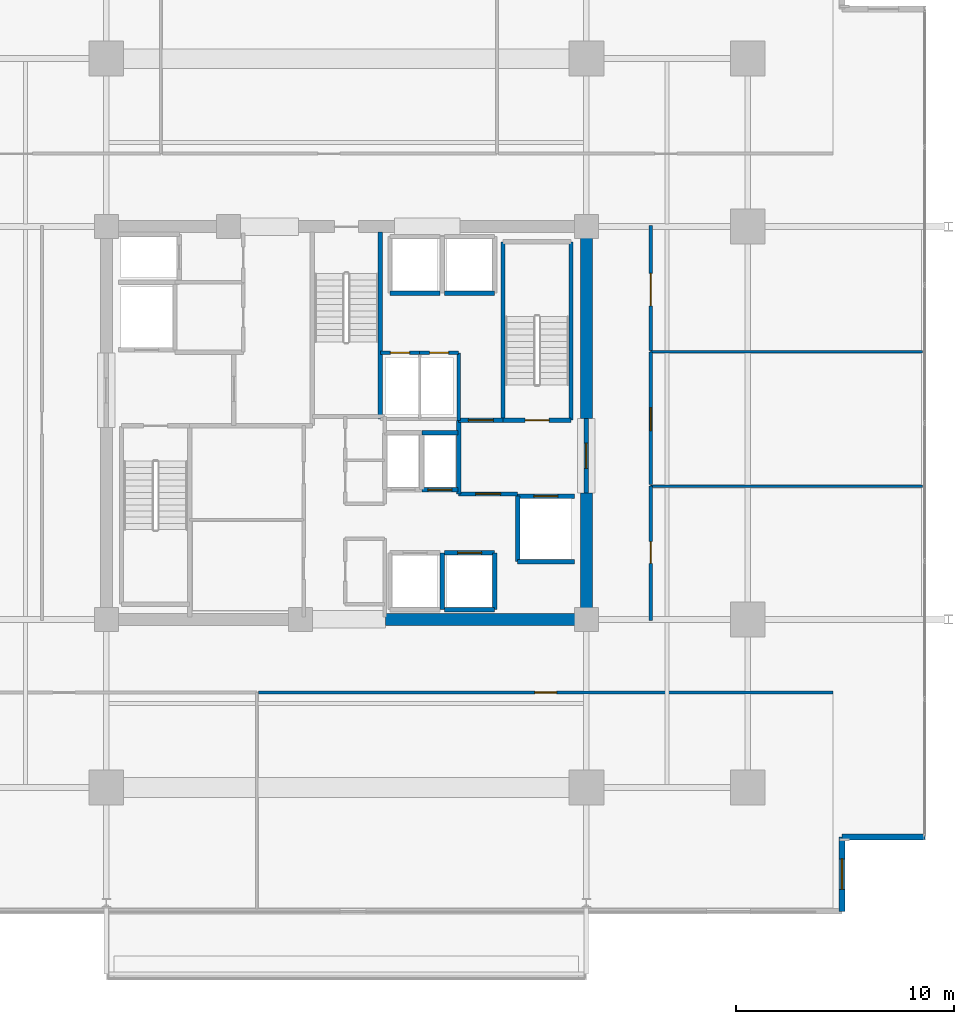
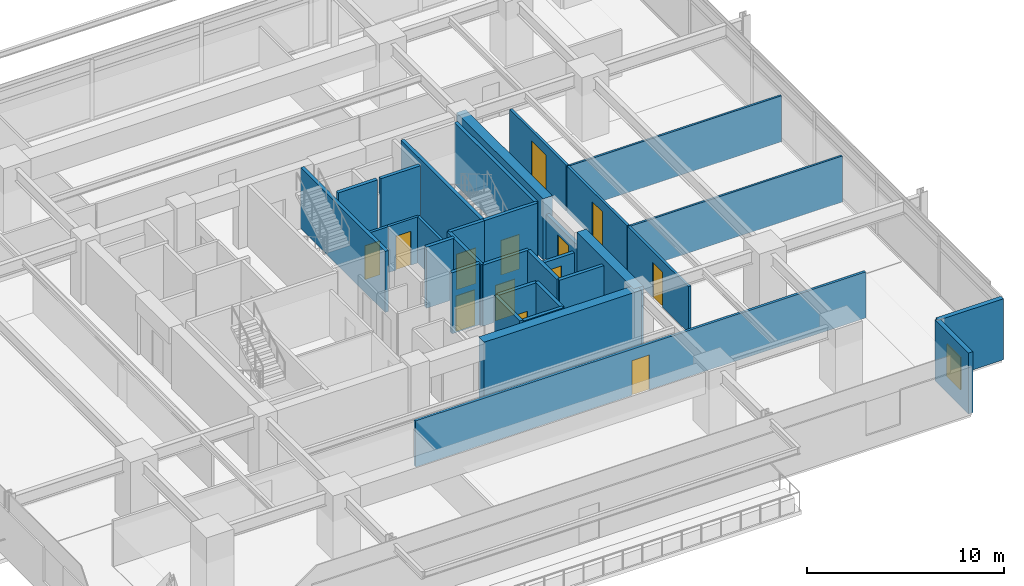
# One storey, part 17 of 24: 33 walls, 13 doors, 1 window, 14 openings.
"""IFC4 building model written with IfcOpenShell, lengths in metres."""

from ifc_helpers import new_model, si_unit, direction, frame, frame_2d, origin, place, context, subcontext, project, spatial, rectangle, extrude, material, layer, layer_set, type_object, element, fill, save


model = new_model("IFC4")

# Units and contexts
model_context = context("Model", 3, precision=1e-05, world=origin(), true_north=direction((0.0, 1.0)))
body_context = subcontext(model_context, "Body", "Model", "MODEL_VIEW")
ifc_project = project(units=[si_unit("LENGTHUNIT", "METRE"), si_unit("AREAUNIT", "SQUARE_METRE"), si_unit("VOLUMEUNIT", "CUBIC_METRE"), si_unit("PLANEANGLEUNIT", "RADIAN"), si_unit("MASSUNIT", "GRAM", prefix="KILO")], contexts=[model_context])

# Site, building, storey
site_placement = place(None, origin())
site = spatial("IfcSite", under=ifc_project, at=site_placement, CompositionType="ELEMENT")
building_placement = place(site_placement, origin())
building = spatial("IfcBuilding", under=site, at=building_placement, Name="Kovane Verandah Tower", CompositionType="ELEMENT")
storey_placement = place(building_placement, frame((0.0, 0.0, 144.39990234375)))
storey = spatial("IfcBuildingStorey", under=building, at=storey_placement, Name="L33", CompositionType="ELEMENT", Elevation=144.39990234375)

# Wall
ifc_material_1 = material(Name="Fire-Rated Gypsum Stud Partition", Category="gypsum")
ifc_layer_1 = layer(ifc_material_1, 0.14990234375)
ifc_layer_set_1 = layer_set([ifc_layer_1], Name="Fire-Rated Gypsum Stud Partition")
wall_type_1 = type_object("IfcWallType", Name="WL-COR-150", PredefinedType="PARTITIONING", material=ifc_layer_set_1)
wall_1_placement = place(storey_placement, frame((45.14990234375, 27.6201171875, 0.0), z_axis=(0.0, 0.0, 1.0), x_axis=(0.0, 1.0, 0.0)))
element("IfcWall", 1, at=wall_1_placement, inside=storey, type_object=wall_type_1, Name="L33 East Core Service Riser East Wall", PredefinedType="PARTITIONING", context=body_context, shape_type="SweptSolid", body=[
    extrude(rectangle(XDim=3.099853515625, YDim=0.14990234375, at=frame_2d((1.5498046875, 0.0))), origin(), (0.0, 0.0, 1.0), 2.85009765625),
])

# Wall, opening, door
wall_2_placement = place(storey_placement, frame((41.56005859375, 30.719970703125, 0.0), z_axis=(0.0, 0.0, 1.0), x_axis=(1.0, 0.0, 0.0)))
wall_2 = element("IfcWall", 2, at=wall_2_placement, inside=storey, type_object=wall_type_1, Name="L33 Chilled Water Riser Room Partition", PredefinedType="PARTITIONING", context=body_context, shape_type="SweptSolid", body=[
    extrude(rectangle(XDim=1.800048828125, YDim=0.14990234375, at=frame_2d((0.89990234375, 0.0))), origin(), (0.0, 0.0, 1.0), 2.85009765625),
])
opening_1_placement = place(wall_2_placement, frame((0.4599609375, 0.0, 0.0)))
opening_1 = element("IfcOpeningElement", 3, at=opening_1_placement, cuts=wall_2, Name="Opening DR-L33-017", PredefinedType="OPENING", context=body_context, shape_type="SweptSolid", body=[
    extrude(rectangle(XDim=0.8798828125, YDim=2.10009765625, at=frame_2d((0.43994140625, 1.050048828125))), frame((0.0, 0.074951171875, 0.0), z_axis=(0.0, -1.0, 0.0), x_axis=(1.0, 0.0, 0.0)), (0.0, 0.0, 1.0), 0.14990234375),
])
ifc_material_2 = material(Name="Fire-Rated Steel Riser Access Door", Category="steel")
door_type_1 = type_object("IfcDoorType", Name="DR-RISER-880", OperationType="SINGLE_SWING_LEFT", PredefinedType="DOOR", material=ifc_material_2)
door_1_placement = place(opening_1_placement, origin())
door_1 = element("IfcDoor", 4, at=door_1_placement, inside=storey, type_object=door_type_1, Name="L33 Chilled Water Riser Room Door", OperationType="SINGLE_SWING_RIGHT", OverallHeight=2.10009765625, OverallWidth=0.8798828125, PredefinedType="DOOR", context=body_context, shape_type="SweptSolid", body=[
    extrude(rectangle(XDim=0.8798828125, YDim=2.10009765625, at=frame_2d((0.43994140625, 1.050048828125))), frame((0.0, 0.02490234375, 0.0), z_axis=(0.0, -1.0, 0.0), x_axis=(1.0, 0.0, 0.0)), (0.0, 0.0, 1.0), 0.050048828125),
])
fill(opening_1, door_1)

wall_3_placement = place(storey_placement, frame((43.360107421875, 30.719970703125, 0.0), z_axis=(0.0, 0.0, 1.0), x_axis=(1.0, 0.0, 0.0)))
wall_3 = element("IfcWall", 5, at=wall_3_placement, inside=storey, type_object=wall_type_1, Name="L33 Smoke Extract Duct Room Partition", PredefinedType="PARTITIONING", context=body_context, shape_type="SweptSolid", body=[
    extrude(rectangle(XDim=1.789794921875, YDim=0.14990234375, at=frame_2d((0.89501953125, 0.0))), origin(), (0.0, 0.0, 1.0), 2.85009765625),
])
opening_2_placement = place(wall_3_placement, frame((0.455078125, 0.0, 0.0)))
opening_2 = element("IfcOpeningElement", 6, at=opening_2_placement, cuts=wall_3, Name="Opening DR-L33-018", PredefinedType="OPENING", context=body_context, shape_type="SweptSolid", body=[
    extrude(rectangle(XDim=0.8798828125, YDim=2.10009765625, at=frame_2d((0.43994140625, 1.050048828125))), frame((0.0, 0.074951171875, 0.0), z_axis=(0.0, -1.0, 0.0), x_axis=(1.0, 0.0, 0.0)), (0.0, 0.0, 1.0), 0.14990234375),
])
door_2_placement = place(opening_2_placement, origin())
door_2 = element("IfcDoor", 7, at=door_2_placement, inside=storey, type_object=door_type_1, Name="L33 Smoke Extract Duct Room Door", OperationType="SINGLE_SWING_LEFT", OverallHeight=2.10009765625, OverallWidth=0.8798828125, PredefinedType="DOOR", context=body_context, shape_type="SweptSolid", body=[
    extrude(rectangle(XDim=0.8798828125, YDim=2.10009765625, at=frame_2d((0.43994140625, 1.050048828125))), frame((0.0, 0.02490234375, 0.0), z_axis=(0.0, -1.0, 0.0), x_axis=(1.0, 0.0, 0.0)), (0.0, 0.0, 1.0), 0.050048828125),
])
fill(opening_2, door_2)

wall_4_placement = place(storey_placement, frame((35.97119140625, 15.14990234375, 0.0), z_axis=(0.0, 0.0, 1.0), x_axis=(1.0, 0.0, 0.0)))
wall_4 = element("IfcWall", 8, at=wall_4_placement, inside=storey, type_object=wall_type_1, Name="L33 Collaboration Hub S2 Corridor Partition", PredefinedType="PARTITIONING", context=body_context, shape_type="SweptSolid", body=[
    extrude(rectangle(XDim=26.342529296875, YDim=0.14990234375, at=frame_2d((13.17138671875, 0.0))), origin(), (0.0, 0.0, 1.0), 2.85009765625),
])
opening_3_placement = place(wall_4_placement, frame((12.67138671875, 0.0, 0.0)))
opening_3 = element("IfcOpeningElement", 9, at=opening_3_placement, cuts=wall_4, Name="Opening DR-L33-023", PredefinedType="OPENING", context=body_context, shape_type="SweptSolid", body=[
    extrude(rectangle(XDim=1.0, YDim=2.14990234375, at=frame_2d((0.5, 1.074951171875))), frame((0.0, 0.074951171875, 0.0), z_axis=(0.0, -1.0, 0.0), x_axis=(1.0, 0.0, 0.0)), (0.0, 0.0, 1.0), 0.14990234375),
])
ifc_material_3 = material(Name="FSC Spotted-Gum Timber Fire-Rated Office Door", Category="wood")
door_type_2 = type_object("IfcDoorType", Name="DR-OFF-1000", OperationType="SINGLE_SWING_LEFT", PredefinedType="DOOR", material=ifc_material_3)
door_3_placement = place(opening_3_placement, origin())
door_3 = element("IfcDoor", 10, at=door_3_placement, inside=storey, type_object=door_type_2, Name="L33 Collaboration Hub S2 Entrance Door", OperationType="SINGLE_SWING_RIGHT", OverallHeight=2.14990234375, OverallWidth=1.0, PredefinedType="DOOR", context=body_context, shape_type="SweptSolid", body=[
    extrude(rectangle(XDim=1.0, YDim=2.14990234375, at=frame_2d((0.5, 1.074951171875))), frame((0.0, 0.02490234375, 0.0), z_axis=(0.0, -1.0, 0.0), x_axis=(1.0, 0.0, 0.0)), (0.0, 0.0, 1.0), 0.050048828125),
])
fill(opening_3, door_3)

wall_5_placement = place(storey_placement, frame((53.949951171875, 18.449951171875, 0.0), z_axis=(0.0, 0.0, 1.0), x_axis=(0.0, 1.0, 0.0)))
wall_5 = element("IfcWall", 11, at=wall_5_placement, inside=storey, type_object=wall_type_1, Name="L33 Open Plan Office E1 Corridor Partition", PredefinedType="PARTITIONING", context=body_context, shape_type="SweptSolid", body=[
    extrude(rectangle(XDim=6.154052734375, YDim=0.14990234375, at=frame_2d((3.0771484375, 0.0))), origin(), (0.0, 0.0, 1.0), 2.85009765625),
])
opening_4_placement = place(wall_5_placement, frame((2.616943359375, 0.0, 0.0)))
opening_4 = element("IfcOpeningElement", 12, at=opening_4_placement, cuts=wall_5, Name="Opening DR-L33-012", PredefinedType="OPENING", context=body_context, shape_type="SweptSolid", body=[
    extrude(rectangle(XDim=1.0, YDim=2.14990234375, at=frame_2d((0.5, 1.074951171875))), frame((0.0, 0.074951171875, 0.0), z_axis=(0.0, -1.0, 0.0), x_axis=(1.0, 0.0, 0.0)), (0.0, 0.0, 1.0), 0.14990234375),
])
door_4_placement = place(opening_4_placement, origin())
door_4 = element("IfcDoor", 13, at=door_4_placement, inside=storey, type_object=door_type_2, Name="L33 Open Plan Office E1 Entrance Door", OperationType="SINGLE_SWING_RIGHT", OverallHeight=2.14990234375, OverallWidth=1.0, PredefinedType="DOOR", context=body_context, shape_type="SweptSolid", body=[
    extrude(rectangle(XDim=1.0, YDim=2.14990234375, at=frame_2d((0.5, 1.074951171875))), frame((0.0, 0.02490234375, 0.0), z_axis=(0.0, -1.0, 0.0), x_axis=(1.0, 0.0, 0.0)), (0.0, 0.0, 1.0), 0.050048828125),
])
fill(opening_4, door_4)

wall_6_placement = place(storey_placement, frame((53.949951171875, 24.674072265625, 0.0), z_axis=(0.0, 0.0, 1.0), x_axis=(0.0, 1.0, 0.0)))
wall_6 = element("IfcWall", 14, at=wall_6_placement, inside=storey, type_object=wall_type_1, Name="L33 Executive Office E2 Corridor Partition", PredefinedType="PARTITIONING", context=body_context, shape_type="SweptSolid", body=[
    extrude(rectangle(XDim=6.083984375, YDim=0.14990234375, at=frame_2d((3.0419921875, 0.0))), origin(), (0.0, 0.0, 1.0), 2.85009765625),
])
opening_5_placement = place(wall_6_placement, frame((2.48193359375, 0.0, 0.0)))
opening_5 = element("IfcOpeningElement", 15, at=opening_5_placement, cuts=wall_6, Name="Opening DR-L33-013", PredefinedType="OPENING", context=body_context, shape_type="SweptSolid", body=[
    extrude(rectangle(XDim=1.050048828125, YDim=2.199951171875, at=frame_2d((0.52490234375, 1.10009765625))), frame((0.0, 0.074951171875, 0.0), z_axis=(0.0, -1.0, 0.0), x_axis=(1.0, 0.0, 0.0)), (0.0, 0.0, 1.0), 0.14990234375),
])
ifc_material_4 = material(Name="FSC Blackbutt Timber Fire-Rated Executive Door", Category="wood")
door_type_3 = type_object("IfcDoorType", Name="DR-EXEC-1050", OperationType="SINGLE_SWING_LEFT", PredefinedType="DOOR", material=ifc_material_4)
door_5_placement = place(opening_5_placement, origin())
door_5 = element("IfcDoor", 16, at=door_5_placement, inside=storey, type_object=door_type_3, Name="L33 Executive Office E2 Entrance Door", OperationType="SINGLE_SWING_LEFT", OverallHeight=2.199951171875, OverallWidth=1.050048828125, PredefinedType="DOOR", context=body_context, shape_type="SweptSolid", body=[
    extrude(rectangle(XDim=1.050048828125, YDim=2.199951171875, at=frame_2d((0.52490234375, 1.10009765625))), frame((0.0, 0.02490234375, 0.0), z_axis=(0.0, -1.0, 0.0), x_axis=(1.0, 0.0, 0.0)), (0.0, 0.0, 1.0), 0.050048828125),
])
fill(opening_5, door_5)

wall_7_placement = place(storey_placement, frame((53.949951171875, 30.827880859375, 0.0), z_axis=(0.0, 0.0, 1.0), x_axis=(0.0, 1.0, 0.0)))
wall_7 = element("IfcWall", 17, at=wall_7_placement, inside=storey, type_object=wall_type_1, Name="L33 Client Boardroom E3 Corridor Partition", PredefinedType="PARTITIONING", context=body_context, shape_type="SweptSolid", body=[
    extrude(rectangle(XDim=5.72216796875, YDim=0.14990234375, at=frame_2d((2.861083984375, 0.0))), origin(), (0.0, 0.0, 1.0), 2.85009765625),
])
opening_6_placement = place(wall_7_placement, frame((2.035888671875, 0.0, 0.0)))
opening_6 = element("IfcOpeningElement", 18, at=opening_6_placement, cuts=wall_7, Name="Opening DR-L33-014", PredefinedType="OPENING", context=body_context, shape_type="SweptSolid", body=[
    extrude(rectangle(XDim=1.5, YDim=2.25, at=frame_2d((0.75, 1.125))), frame((0.0, 0.074951171875, 0.0), z_axis=(0.0, -1.0, 0.0), x_axis=(1.0, 0.0, 0.0)), (0.0, 0.0, 1.0), 0.14990234375),
])
ifc_material_5 = material(Name="Glazed Timber Fire-Rated Double Door", Category="wood")
door_type_4 = type_object("IfcDoorType", Name="DR-CONF-1500", OperationType="DOUBLE_DOOR_SINGLE_SWING", PredefinedType="DOOR", material=ifc_material_5)
door_6_placement = place(opening_6_placement, origin())
door_6 = element("IfcDoor", 19, at=door_6_placement, inside=storey, type_object=door_type_4, Name="L33 Client Boardroom E3 Entrance Door", OperationType="DOUBLE_DOOR_SINGLE_SWING", OverallHeight=2.25, OverallWidth=1.5, PredefinedType="DOOR", context=body_context, shape_type="SweptSolid", body=[
    extrude(rectangle(XDim=1.5, YDim=2.25, at=frame_2d((0.75, 1.125))), frame((0.0, 0.02490234375, 0.0), z_axis=(0.0, -1.0, 0.0), x_axis=(1.0, 0.0, 0.0)), (0.0, 0.0, 1.0), 0.050048828125),
])
fill(opening_6, door_6)

# Walls
ifc_material_6 = material(Name="Concrete C60/75", Category="concrete")
ifc_layer_2 = layer(ifc_material_6, 0.550048828125)
ifc_layer_set_2 = layer_set([ifc_layer_2], Name="Concrete C60/75")
wall_type_2 = type_object("IfcWallType", Name="WL-CORE-550", PredefinedType="SHEAR", material=ifc_layer_set_2)
wall_8_placement = place(storey_placement, frame((41.800048828125, 18.5, 0.0), z_axis=(0.0, 0.0, 1.0), x_axis=(1.0, 0.0, 0.0)))
element("IfcWall", 20, at=wall_8_placement, inside=storey, type_object=wall_type_2, Name="L33 Core Shear Wall CS-2", PredefinedType="SHEAR", context=body_context, shape_type="SweptSolid", body=[
    extrude(rectangle(XDim=9.199951171875, YDim=0.550048828125, at=frame_2d((4.60009765625, 0.0))), origin(), (0.0, 0.0, 1.0), 3.775146484375),
])
wall_9_placement = place(storey_placement, frame((51.0, 18.5, 0.0), z_axis=(0.0, 0.0, 1.0), x_axis=(0.0, 1.0, 0.0)))
element("IfcWall", 21, at=wall_9_placement, inside=storey, type_object=wall_type_2, Name="L33 Core Shear Wall CE-1", PredefinedType="SHEAR", context=body_context, shape_type="SweptSolid", body=[
    extrude(rectangle(XDim=5.800048828125, YDim=0.550048828125, at=frame_2d((2.89990234375, 0.0))), origin(), (0.0, 0.0, 1.0), 3.775146484375),
])
wall_10_placement = place(storey_placement, frame((51.0, 27.699951171875, 0.0), z_axis=(0.0, 0.0, 1.0), x_axis=(0.0, 1.0, 0.0)))
element("IfcWall", 22, at=wall_10_placement, inside=storey, type_object=wall_type_2, Name="L33 Core Shear Wall CE-2", PredefinedType="SHEAR", context=body_context, shape_type="SweptSolid", body=[
    extrude(rectangle(XDim=8.800048828125, YDim=0.550048828125, at=frame_2d((4.39990234375, 0.0))), origin(), (0.0, 0.0, 1.0), 3.775146484375),
])
ifc_material_7 = material(Name="Concrete C45/55 Fire Wall", Category="concrete")
ifc_layer_3 = layer(ifc_material_7, 0.199951171875)
ifc_layer_set_3 = layer_set([ifc_layer_3], Name="Concrete C45/55 Fire Wall")
wall_type_3 = type_object("IfcWallType", Name="WL-FFL-200", PredefinedType="PARTITIONING", material=ifc_layer_set_3)
wall_11_placement = place(storey_placement, frame((45.14990234375, 24.25, 0.0), z_axis=(0.0, 0.0, 1.0), x_axis=(0.0, 1.0, 0.0)))
element("IfcWall", 23, at=wall_11_placement, inside=storey, type_object=wall_type_3, Name="L33 East Firefighting Lobby West Fire Wall", PredefinedType="PARTITIONING", context=body_context, shape_type="SweptSolid", body=[
    extrude(rectangle(XDim=3.3701171875, YDim=0.199951171875, at=frame_2d((1.68505859375, 0.0))), origin(), (0.0, 0.0, 1.0), 3.775146484375),
])

# Wall, opening, door
wall_12_placement = place(storey_placement, frame((45.14990234375, 24.25, 0.0), z_axis=(0.0, 0.0, 1.0), x_axis=(1.0, 0.0, 0.0)))
wall_12 = element("IfcWall", 24, at=wall_12_placement, inside=storey, type_object=wall_type_3, Name="W-L33-FFLE-S", PredefinedType="PARTITIONING", context=body_context, shape_type="SweptSolid", body=[
    extrude(rectangle(XDim=2.7001953125, YDim=0.199951171875, at=frame_2d((1.35009765625, 0.0))), origin(), (0.0, 0.0, 1.0), 3.775146484375),
])
opening_7_placement = place(wall_12_placement, frame((0.77490234375, 0.0, 0.0)))
opening_7 = element("IfcOpeningElement", 25, at=opening_7_placement, cuts=wall_12, Name="Opening DR-L33-003", PredefinedType="OPENING", context=body_context, shape_type="SweptSolid", body=[
    extrude(rectangle(XDim=1.14990234375, YDim=2.199951171875, at=frame_2d((0.574951171875, 1.10009765625))), frame((0.0, 0.10009765625, 0.0), z_axis=(0.0, -1.0, 0.0), x_axis=(1.0, 0.0, 0.0)), (0.0, 0.0, 1.0), 0.199951171875),
])
ifc_material_8 = material(Name="Smoke-Sealed Firefighting Lobby Door", Category="steel")
door_type_5 = type_object("IfcDoorType", Name="DR-FFL-1150", OperationType="SINGLE_SWING_LEFT", PredefinedType="DOOR", material=ifc_material_8)
door_7_placement = place(opening_7_placement, origin())
door_7 = element("IfcDoor", 26, at=door_7_placement, inside=storey, type_object=door_type_5, Name="L33 East Firefighting Lobby Inner Door", OperationType="SINGLE_SWING_RIGHT", OverallHeight=2.199951171875, OverallWidth=1.14990234375, PredefinedType="DOOR", context=body_context, shape_type="SweptSolid", body=[
    extrude(rectangle(XDim=1.14990234375, YDim=2.199951171875, at=frame_2d((0.574951171875, 1.10009765625))), frame((0.0, 0.02490234375, 0.0), z_axis=(0.0, -1.0, 0.0), x_axis=(1.0, 0.0, 0.0)), (0.0, 0.0, 1.0), 0.050048828125),
])
fill(opening_7, door_7)

wall_13_placement = place(storey_placement, frame((45.14990234375, 27.6201171875, 0.0), z_axis=(0.0, 0.0, 1.0), x_axis=(1.0, 0.0, 0.0)))
wall_13 = element("IfcWall", 27, at=wall_13_placement, inside=storey, type_object=wall_type_3, Name="W-L33-FFLE-N", PredefinedType="PARTITIONING", context=body_context, shape_type="SweptSolid", body=[
    extrude(rectangle(XDim=2.030029296875, YDim=0.199951171875, at=frame_2d((1.01513671875, 0.0))), origin(), (0.0, 0.0, 1.0), 3.775146484375),
])
opening_8_placement = place(wall_13_placement, frame((0.43994140625, 0.0, 0.0)))
opening_8 = element("IfcOpeningElement", 28, at=opening_8_placement, cuts=wall_13, Name="Opening DR-L33-004", PredefinedType="OPENING", context=body_context, shape_type="SweptSolid", body=[
    extrude(rectangle(XDim=1.14990234375, YDim=2.199951171875, at=frame_2d((0.574951171875, 1.10009765625))), frame((0.0, 0.10009765625, 0.0), z_axis=(0.0, -1.0, 0.0), x_axis=(1.0, 0.0, 0.0)), (0.0, 0.0, 1.0), 0.199951171875),
])
door_8_placement = place(opening_8_placement, origin())
door_8 = element("IfcDoor", 29, at=door_8_placement, inside=storey, type_object=door_type_5, Name="L33 East Firefighting Lobby Shuttle Link Door", OperationType="SINGLE_SWING_LEFT", OverallHeight=2.199951171875, OverallWidth=1.14990234375, PredefinedType="DOOR", context=body_context, shape_type="SweptSolid", body=[
    extrude(rectangle(XDim=1.14990234375, YDim=2.199951171875, at=frame_2d((0.574951171875, 1.10009765625))), frame((0.0, 0.02490234375, 0.0), z_axis=(0.0, -1.0, 0.0), x_axis=(1.0, 0.0, 0.0)), (0.0, 0.0, 1.0), 0.050048828125),
])
fill(opening_8, door_8)

wall_14_placement = place(storey_placement, frame((51.0, 24.300048828125, 0.0), z_axis=(0.0, 0.0, 1.0), x_axis=(0.0, 1.0, 0.0)))
wall_14 = element("IfcWall", 30, at=wall_14_placement, inside=storey, type_object=wall_type_3, Name="W-L33-FFLE-OUT", PredefinedType="PARTITIONING", context=body_context, shape_type="SweptSolid", body=[
    extrude(rectangle(XDim=3.39990234375, YDim=0.199951171875, at=frame_2d((1.699951171875, 0.0))), origin(), (0.0, 0.0, 1.0), 2.755126953125),
])
opening_9_placement = place(wall_14_placement, frame((1.125, 0.0, 0.0)))
opening_9 = element("IfcOpeningElement", 31, at=opening_9_placement, cuts=wall_14, Name="Opening DR-L33-005", PredefinedType="OPENING", context=body_context, shape_type="SweptSolid", body=[
    extrude(rectangle(XDim=1.14990234375, YDim=2.199951171875, at=frame_2d((0.574951171875, 1.10009765625))), frame((0.0, 0.10009765625, 0.0), z_axis=(0.0, -1.0, 0.0), x_axis=(1.0, 0.0, 0.0)), (0.0, 0.0, 1.0), 0.199951171875),
])
door_9_placement = place(opening_9_placement, origin())
door_9 = element("IfcDoor", 32, at=door_9_placement, inside=storey, type_object=door_type_5, Name="L33 East Firefighting Lobby Corridor Door", OperationType="SINGLE_SWING_LEFT", OverallHeight=2.199951171875, OverallWidth=1.14990234375, PredefinedType="DOOR", context=body_context, shape_type="SweptSolid", body=[
    extrude(rectangle(XDim=1.14990234375, YDim=2.199951171875, at=frame_2d((0.574951171875, 1.10009765625))), frame((0.0, 0.02490234375, 0.0), z_axis=(0.0, -1.0, 0.0), x_axis=(1.0, 0.0, 0.0)), (0.0, 0.0, 1.0), 0.050048828125),
])
fill(opening_9, door_9)

# Wall
ifc_material_9 = material(Name="Concrete C45/55 Lift Shaft Wall", Category="concrete")
ifc_layer_4 = layer(ifc_material_9, 0.199951171875)
ifc_layer_set_4 = layer_set([ifc_layer_4], Name="Concrete C45/55 Lift Shaft Wall")
wall_type_4 = type_object("IfcWallType", Name="WL-LIFT-200", PredefinedType="SOLIDWALL", material=ifc_layer_set_4)
wall_15_placement = place(storey_placement, frame((47.85009765625, 21.14990234375, 0.0), z_axis=(0.0, 0.0, 1.0), x_axis=(1.0, 0.0, 0.0)))
element("IfcWall", 33, at=wall_15_placement, inside=storey, type_object=wall_type_4, Name="L33 Lift FL-02 S Shaft Wall", PredefinedType="SOLIDWALL", context=body_context, shape_type="SweptSolid", body=[
    extrude(rectangle(XDim=2.599853515625, YDim=0.199951171875, at=frame_2d((1.2998046875, 0.0))), origin(), (0.0, 0.0, 1.0), 3.775146484375),
])

# Wall, opening, door
wall_16_placement = place(storey_placement, frame((50.449951171875, 24.14990234375, 0.0), z_axis=(0.0, 0.0, 1.0), x_axis=(-1.0, 0.0, 0.0)))
wall_16 = element("IfcWall", 34, at=wall_16_placement, inside=storey, type_object=wall_type_4, Name="L33 Lift FL-02 N Shaft Wall", PredefinedType="SOLIDWALL", context=body_context, shape_type="SweptSolid", body=[
    extrude(rectangle(XDim=2.599853515625, YDim=0.199951171875, at=frame_2d((1.2998046875, 0.0))), origin(), (0.0, 0.0, 1.0), 2.755126953125),
])
opening_10_placement = place(wall_16_placement, frame((0.75, 0.0, 0.0)))
opening_10 = element("IfcOpeningElement", 35, at=opening_10_placement, cuts=wall_16, Name="Opening LD-L33-002", PredefinedType="OPENING", context=body_context, shape_type="SweptSolid", body=[
    extrude(rectangle(XDim=1.10009765625, YDim=2.199951171875, at=frame_2d((0.550048828125, 1.10009765625))), frame((0.0, 0.10009765625, 0.0), z_axis=(0.0, -1.0, 0.0), x_axis=(1.0, 0.0, 0.0)), (0.0, 0.0, 1.0), 0.199951171875),
])
ifc_material_10 = material(Name="Brushed Stainless Steel Sliding Lift Landing Door", Category="steel")
door_type_6 = type_object("IfcDoorType", Name="DR-LIFT-1100", OperationType="SLIDING_TO_RIGHT", PredefinedType="DOOR", material=ifc_material_10)
door_10_placement = place(opening_10_placement, origin())
door_10 = element("IfcDoor", 36, at=door_10_placement, inside=storey, type_object=door_type_6, Name="L33 Lift FL-02 Sliding Landing Door", OperationType="SLIDING_TO_RIGHT", OverallHeight=2.199951171875, OverallWidth=1.10009765625, PredefinedType="DOOR", context=body_context, shape_type="SweptSolid", body=[
    extrude(rectangle(XDim=1.10009765625, YDim=2.199951171875, at=frame_2d((0.550048828125, 1.10009765625))), frame((0.0, 0.02490234375, 0.0), z_axis=(0.0, -1.0, 0.0), x_axis=(1.0, 0.0, 0.0)), (0.0, 0.0, 1.0), 0.050048828125),
])
fill(opening_10, door_10)

# Walls
wall_17_placement = place(storey_placement, frame((47.85009765625, 24.14990234375, 0.0), z_axis=(0.0, 0.0, 1.0), x_axis=(0.0, -1.0, 0.0)))
element("IfcWall", 37, at=wall_17_placement, inside=storey, type_object=wall_type_4, Name="L33 Lift FL-02 W Shaft Wall", PredefinedType="SOLIDWALL", context=body_context, shape_type="SweptSolid", body=[
    extrude(rectangle(XDim=3.0, YDim=0.199951171875, at=frame_2d((1.5, 0.0))), origin(), (0.0, 0.0, 1.0), 3.775146484375),
])
wall_18_placement = place(storey_placement, frame((44.39990234375, 18.949951171875, 0.0), z_axis=(0.0, 0.0, 1.0), x_axis=(0.0, 1.0, 0.0)))
element("IfcWall", 38, at=wall_18_placement, inside=storey, type_object=wall_type_4, Name="L33 Lift PL-M1 and PL-M2 Shared Shaft Wall", PredefinedType="SOLIDWALL", context=body_context, shape_type="SweptSolid", body=[
    extrude(rectangle(XDim=2.60009765625, YDim=0.199951171875, at=frame_2d((1.300048828125, 0.0))), origin(), (0.0, 0.0, 1.0), 3.775146484375),
])
wall_19_placement = place(storey_placement, frame((44.5, 18.949951171875, 0.0), z_axis=(0.0, 0.0, 1.0), x_axis=(1.0, 0.0, 0.0)))
element("IfcWall", 39, at=wall_19_placement, inside=storey, type_object=wall_type_4, Name="L33 Lift PL-M2 S Shaft Wall", PredefinedType="SOLIDWALL", context=body_context, shape_type="SweptSolid", body=[
    extrude(rectangle(XDim=2.300048828125, YDim=0.199951171875, at=frame_2d((1.14990234375, 0.0))), origin(), (0.0, 0.0, 1.0), 3.775146484375),
])

# Wall, opening, door
wall_20_placement = place(storey_placement, frame((46.800048828125, 21.550048828125, 0.0), z_axis=(0.0, 0.0, 1.0), x_axis=(-1.0, 0.0, 0.0)))
wall_20 = element("IfcWall", 40, at=wall_20_placement, inside=storey, type_object=wall_type_4, Name="L33 Lift PL-M2 N Shaft Wall", PredefinedType="SOLIDWALL", context=body_context, shape_type="SweptSolid", body=[
    extrude(rectangle(XDim=2.300048828125, YDim=0.199951171875, at=frame_2d((1.14990234375, 0.0))), origin(), (0.0, 0.0, 1.0), 3.775146484375),
])
opening_11_placement = place(wall_20_placement, frame((0.60009765625, 0.0, 0.0)))
opening_11 = element("IfcOpeningElement", 41, at=opening_11_placement, cuts=wall_20, Name="Opening LD-L33-005", PredefinedType="OPENING", context=body_context, shape_type="SweptSolid", body=[
    extrude(rectangle(XDim=1.10009765625, YDim=2.199951171875, at=frame_2d((0.550048828125, 1.10009765625))), frame((0.0, 0.10009765625, 0.0), z_axis=(0.0, -1.0, 0.0), x_axis=(1.0, 0.0, 0.0)), (0.0, 0.0, 1.0), 0.199951171875),
])
door_11_placement = place(opening_11_placement, origin())
door_11 = element("IfcDoor", 42, at=door_11_placement, inside=storey, type_object=door_type_6, Name="L33 Lift PL-M2 Sliding Landing Door", OperationType="SLIDING_TO_RIGHT", OverallHeight=2.199951171875, OverallWidth=1.10009765625, PredefinedType="DOOR", context=body_context, shape_type="SweptSolid", body=[
    extrude(rectangle(XDim=1.10009765625, YDim=2.199951171875, at=frame_2d((0.550048828125, 1.10009765625))), frame((0.0, 0.02490234375, 0.0), z_axis=(0.0, -1.0, 0.0), x_axis=(1.0, 0.0, 0.0)), (0.0, 0.0, 1.0), 0.050048828125),
])
fill(opening_11, door_11)

# Wall
wall_21_placement = place(storey_placement, frame((46.800048828125, 18.949951171875, 0.0), z_axis=(0.0, 0.0, 1.0), x_axis=(0.0, 1.0, 0.0)))
element("IfcWall", 43, at=wall_21_placement, inside=storey, type_object=wall_type_4, Name="L33 Lift PL-M2 E Shaft Wall", PredefinedType="SOLIDWALL", context=body_context, shape_type="SweptSolid", body=[
    extrude(rectangle(XDim=2.60009765625, YDim=0.199951171875, at=frame_2d((1.300048828125, 0.0))), origin(), (0.0, 0.0, 1.0), 3.775146484375),
])

# Wall, opening, door
wall_22_placement = place(storey_placement, frame((43.4599609375, 24.449951171875, 0.0), z_axis=(0.0, 0.0, 1.0), x_axis=(1.0, 0.0, 0.0)))
wall_22 = element("IfcWall", 44, at=wall_22_placement, inside=storey, type_object=wall_type_4, Name="L33 Lift PL-M4 S Shaft Wall", PredefinedType="SOLIDWALL", context=body_context, shape_type="SweptSolid", body=[
    extrude(rectangle(XDim=1.66015625, YDim=0.199951171875, at=frame_2d((0.830078125, 0.0))), origin(), (0.0, 0.0, 1.0), 3.775146484375),
])
opening_12_placement = place(wall_22_placement, frame((0.280029296875, 0.0, 0.0)))
opening_12 = element("IfcOpeningElement", 45, at=opening_12_placement, cuts=wall_22, Name="Opening LD-L33-007", PredefinedType="OPENING", context=body_context, shape_type="SweptSolid", body=[
    extrude(rectangle(XDim=1.10009765625, YDim=2.199951171875, at=frame_2d((0.550048828125, 1.10009765625))), frame((0.0, 0.10009765625, 0.0), z_axis=(0.0, -1.0, 0.0), x_axis=(1.0, 0.0, 0.0)), (0.0, 0.0, 1.0), 0.199951171875),
])
door_12_placement = place(opening_12_placement, origin())
door_12 = element("IfcDoor", 46, at=door_12_placement, inside=storey, type_object=door_type_6, Name="L33 Lift PL-M4 Sliding Landing Door", OperationType="SLIDING_TO_RIGHT", OverallHeight=2.199951171875, OverallWidth=1.10009765625, PredefinedType="DOOR", context=body_context, shape_type="SweptSolid", body=[
    extrude(rectangle(XDim=1.10009765625, YDim=2.199951171875, at=frame_2d((0.550048828125, 1.10009765625))), frame((0.0, 0.02490234375, 0.0), z_axis=(0.0, -1.0, 0.0), x_axis=(1.0, 0.0, 0.0)), (0.0, 0.0, 1.0), 0.050048828125),
])
fill(opening_12, door_12)

# Walls
wall_23_placement = place(storey_placement, frame((45.1201171875, 27.050048828125, 0.0), z_axis=(0.0, 0.0, 1.0), x_axis=(-1.0, 0.0, 0.0)))
element("IfcWall", 47, at=wall_23_placement, inside=storey, type_object=wall_type_4, Name="L33 Lift PL-M4 N Shaft Wall", PredefinedType="SOLIDWALL", context=body_context, shape_type="SweptSolid", body=[
    extrude(rectangle(XDim=1.66015625, YDim=0.199951171875, at=frame_2d((0.830078125, 0.0))), origin(), (0.0, 0.0, 1.0), 3.775146484375),
])
for number, where, z_axis, x_axis, name in (
    (48, (42.0, 33.449951171875, 0.0), (0.0, 0.0, 1.0), (1.0, 0.0, 0.0), "L33 Lift SL-01 S Shaft Wall"),
    (49, (44.5, 33.449951171875, 0.0), (0.0, 0.0, 1.0), (1.0, 0.0, 0.0), "L33 Lift OL-01 S Shaft Wall"),
):
    element("IfcWall", number, at=place(storey_placement, frame(where, z_axis=z_axis, x_axis=x_axis)), inside=storey, type_object=wall_type_4, Name=name, PredefinedType="SOLIDWALL", context=body_context, shape_type="SweptSolid", body=[
        extrude(rectangle(XDim=2.300048828125, YDim=0.199951171875, at=frame_2d((1.14990234375, 0.0))), origin(), (0.0, 0.0, 1.0), 3.775146484375),
    ])
ifc_material_11 = material(Name="Acoustic Fire-Rated Gypsum Partition", Category="gypsum")
ifc_layer_5 = layer(ifc_material_11, 0.1201171875)
ifc_layer_set_5 = layer_set([ifc_layer_5], Name="Acoustic Fire-Rated Gypsum Partition")
wall_type_5 = type_object("IfcWallType", Name="WL-PART-120", PredefinedType="PARTITIONING", material=ifc_layer_set_5)
for number, where, z_axis, x_axis, name in (
    (50, (53.949951171875, 24.60400390625, 0.0), (0.0, 0.0, 1.0), (1.0, 0.0, 0.0), "L33 Open Plan Office E1 Dividing Partition"),
    (51, (53.949951171875, 30.758056640625, 0.0), (0.0, 0.0, 1.0), (1.0, 0.0, 0.0), "L33 Executive Office E2 Dividing Partition"),
):
    element("IfcWall", number, at=place(storey_placement, frame(where, z_axis=z_axis, x_axis=x_axis)), inside=storey, type_object=wall_type_5, Name=name, PredefinedType="PARTITIONING", context=body_context, shape_type="SweptSolid", body=[
        extrude(rectangle(XDim=12.4638671875, YDim=0.1201171875, at=frame_2d((6.23193359375, 0.0))), origin(), (0.0, 0.0, 1.0), 2.85009765625),
    ])
ifc_material_12 = material(Name="Concrete C45/55", Category="concrete")
ifc_layer_6 = layer(ifc_material_12, 0.199951171875)
ifc_layer_set_6 = layer_set([ifc_layer_6], Name="Concrete C45/55")
wall_type_6 = type_object("IfcWallType", Name="WL-SHAFT-200", PredefinedType="SOLIDWALL", material=ifc_layer_set_6)
wall_24_placement = place(storey_placement, frame((50.300048828125, 27.64990234375, 0.0), z_axis=(0.0, 0.0, 1.0), x_axis=(0.0, 1.0, 0.0)))
element("IfcWall", 52, at=wall_24_placement, inside=storey, type_object=wall_type_6, Name="W-L33-ST02-E", PredefinedType="SOLIDWALL", context=body_context, shape_type="SweptSolid", body=[
    extrude(rectangle(XDim=8.150146484375, YDim=0.199951171875, at=frame_2d((4.0751953125, 0.0))), origin(), (0.0, 0.0, 1.0), 3.775146484375),
])
wall_25_placement = place(storey_placement, frame((47.179931640625, 27.6201171875, 0.0), z_axis=(0.0, 0.0, 1.0), x_axis=(0.0, 1.0, 0.0)))
element("IfcWall", 53, at=wall_25_placement, inside=storey, type_object=wall_type_6, Name="W-L33-ST02-W", PredefinedType="SOLIDWALL", context=body_context, shape_type="SweptSolid", body=[
    extrude(rectangle(XDim=8.179931640625, YDim=0.199951171875, at=frame_2d((4.08984375, 0.0))), origin(), (0.0, 0.0, 1.0), 3.775146484375),
])

# Wall, opening, door
wall_26_placement = place(storey_placement, frame((47.179931640625, 27.6201171875, 0.0), z_axis=(0.0, 0.0, 1.0), x_axis=(1.0, 0.0, 0.0)))
wall_26 = element("IfcWall", 54, at=wall_26_placement, inside=storey, type_object=wall_type_6, Name="W-L33-ST02-S", PredefinedType="SOLIDWALL", context=body_context, shape_type="SweptSolid", body=[
    extrude(rectangle(XDim=3.1201171875, YDim=0.199951171875, at=frame_2d((1.56005859375, 0.0))), origin(), (0.0, 0.0, 1.0), 3.775146484375),
])
opening_13_placement = place(wall_26_placement, frame((1.010009765625, 0.0, 0.0)))
opening_13 = element("IfcOpeningElement", 55, at=opening_13_placement, cuts=wall_26, Name="Opening DR-L33-010", PredefinedType="OPENING", context=body_context, shape_type="SweptSolid", body=[
    extrude(rectangle(XDim=1.10009765625, YDim=2.14990234375, at=frame_2d((0.550048828125, 1.074951171875))), frame((0.0, 0.10009765625, 0.0), z_axis=(0.0, -1.0, 0.0), x_axis=(1.0, 0.0, 0.0)), (0.0, 0.0, 1.0), 0.199951171875),
])
ifc_material_13 = material(Name="Fire-Rated Steel Exit Door", Category="steel")
door_type_7 = type_object("IfcDoorType", Name="DR-STAIR-1100", OperationType="SINGLE_SWING_LEFT", PredefinedType="DOOR", material=ifc_material_13)
door_13_placement = place(opening_13_placement, origin())
door_13 = element("IfcDoor", 56, at=door_13_placement, inside=storey, type_object=door_type_7, Name="L33 ST-02 Fire Exit Stair Door", OperationType="SINGLE_SWING_LEFT", OverallHeight=2.14990234375, OverallWidth=1.10009765625, PredefinedType="DOOR", context=body_context, shape_type="SweptSolid", body=[
    extrude(rectangle(XDim=1.10009765625, YDim=2.14990234375, at=frame_2d((0.550048828125, 1.074951171875))), frame((0.0, 0.02490234375, 0.0), z_axis=(0.0, -1.0, 0.0), x_axis=(1.0, 0.0, 0.0)), (0.0, 0.0, 1.0), 0.050048828125),
])
fill(opening_13, door_13)

# Wall
wall_27_placement = place(storey_placement, frame((41.56005859375, 27.679931640625, 0.0), z_axis=(0.0, 0.0, 1.0), x_axis=(0.0, 1.0, 0.0)))
element("IfcWall", 57, at=wall_27_placement, inside=storey, type_object=wall_type_6, Name="W-L33-ST03-E", PredefinedType="SOLIDWALL", context=body_context, shape_type="SweptSolid", body=[
    extrude(rectangle(XDim=8.570068359375, YDim=0.199951171875, at=frame_2d((4.28515625, 0.0))), origin(), (0.0, 0.0, 1.0), 3.775146484375),
])

# Wall, opening, window
ifc_material_14 = material(Name="Concrete C45/55 Insulated Spandrel Wall", Category="concrete")
ifc_layer_7 = layer(ifc_material_14, 0.260009765625)
ifc_layer_set_7 = layer_set([ifc_layer_7], Name="Concrete C45/55 Insulated Spandrel Wall")
wall_type_7 = type_object("IfcWallType", Name="WL-SPANDREL-260", PredefinedType="PARAPET", material=ifc_layer_set_7)
wall_28_placement = place(storey_placement, frame((62.7138671875, 5.125, 0.0), z_axis=(0.0, 0.0, 1.0), x_axis=(0.0, 1.0, 0.0)))
wall_28 = element("IfcWall", 58, at=wall_28_placement, inside=storey, type_object=wall_type_7, Name="L33 SE Notch Cheek Wall 1", PredefinedType="PARAPET", context=body_context, shape_type="SweptSolid", body=[
    extrude(rectangle(XDim=3.39990234375, YDim=0.260009765625, at=frame_2d((1.699951171875, 0.0))), origin(), (0.0, 0.0, 1.0), 3.775146484375),
])
opening_14_placement = place(wall_28_placement, frame((1.0, 0.0, 0.85009765625)))
opening_14 = element("IfcOpeningElement", 59, at=opening_14_placement, cuts=wall_28, Name="Opening W-01", PredefinedType="OPENING", context=body_context, shape_type="SweptSolid", body=[
    extrude(rectangle(XDim=1.39990234375, YDim=2.0, at=frame_2d((0.699951171875, 1.0))), frame((0.0, 0.1298828125, 0.0), z_axis=(0.0, -1.0, 0.0), x_axis=(1.0, 0.0, 0.0)), (0.0, 0.0, 1.0), 0.260009765625),
])
ifc_material_15 = material(Name="Clear Low-E Laminated Double Glazing in Anodised Frame", Category="glass")
window_type = type_object("IfcWindowType", Name="WN-OPER-1400x2000", PartitioningType="SINGLE_PANEL", PredefinedType="WINDOW", material=ifc_material_15)
window_placement = place(opening_14_placement, origin())
window = element("IfcWindow", 60, at=window_placement, inside=storey, type_object=window_type, Name="L33 SE Re-Entrant Corner Operable Window", OverallHeight=2.0, OverallWidth=1.39990234375, PartitioningType="SINGLE_PANEL", PredefinedType="WINDOW", context=body_context, shape_type="SweptSolid", body=[
    extrude(rectangle(XDim=1.39990234375, YDim=2.0, at=frame_2d((0.699951171875, 1.0))), frame((0.0, 0.030029296875, 0.0), z_axis=(0.0, -1.0, 0.0), x_axis=(1.0, 0.0, 0.0)), (0.0, 0.0, 1.0), 0.06005859375),
])
fill(opening_14, window)

# Wall
wall_29_placement = place(storey_placement, frame((62.7138671875, 8.52490234375, 0.0), z_axis=(0.0, 0.0, 1.0), x_axis=(1.0, 0.0, 0.0)))
element("IfcWall", 61, at=wall_29_placement, inside=storey, type_object=wall_type_7, Name="L33 SE Notch Cheek Wall 2", PredefinedType="PARAPET", context=body_context, shape_type="SweptSolid", body=[
    extrude(rectangle(XDim=3.800048828125, YDim=0.260009765625, at=frame_2d((1.89990234375, 0.0))), origin(), (0.0, 0.0, 1.0), 3.775146484375),
])

save(model, "model.ifc")
